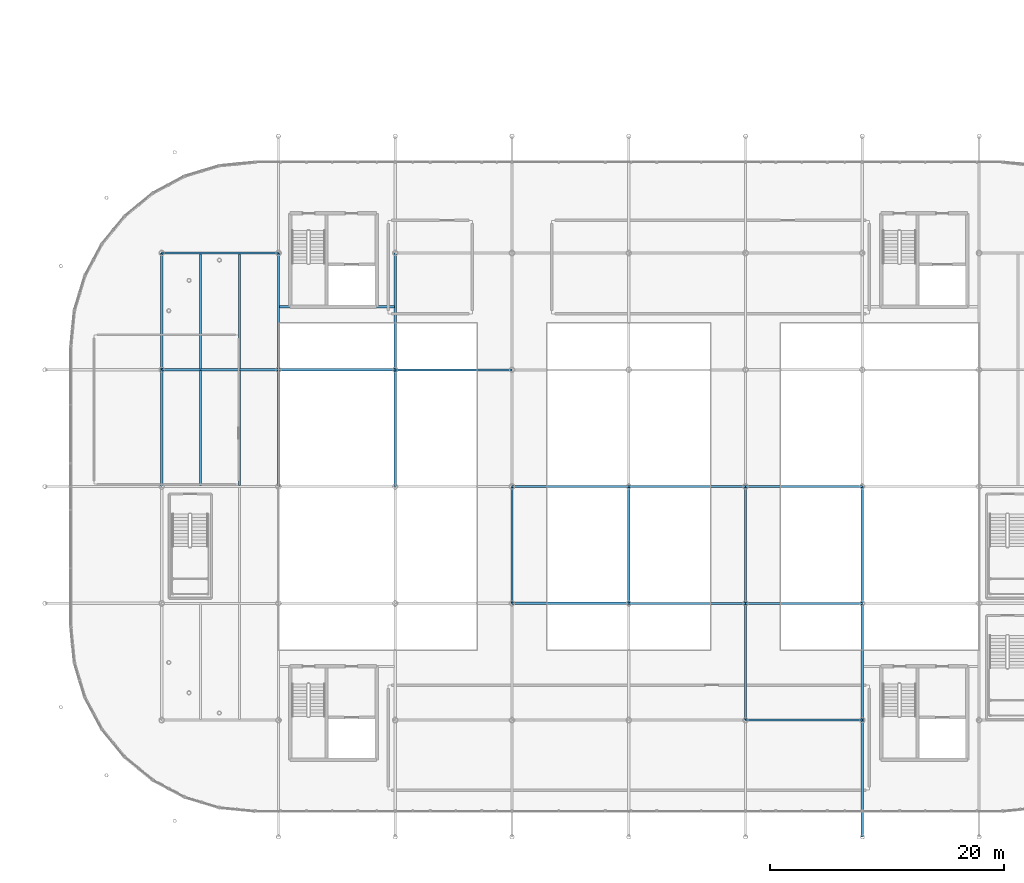
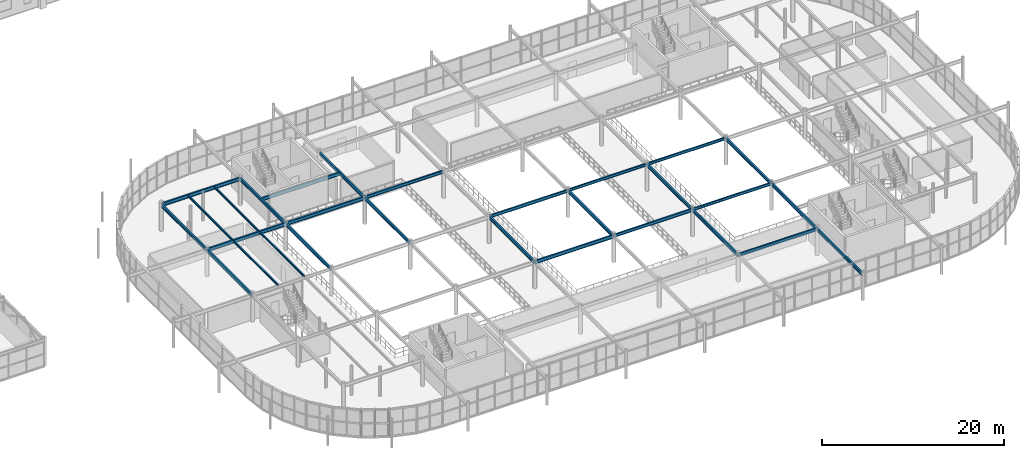
# One storey, part 46 of 98: 29 beams.
"""IFC4 building model written with IfcOpenShell, lengths in metres."""

from ifc_helpers import new_model, si_unit, derived_unit, direction, frame, origin, origin_2d_with_axis, place, context, subcontext, project, spatial, i_section, extrude, material, material_profile, profile_set, type_object, element, save


model = new_model("IFC4")

# Units and contexts
model_context = context("Model", 3, precision=1e-05, world=origin(), true_north=direction((0.0, 1.0)))
body_context = subcontext(model_context, "Body", "Model", "MODEL_VIEW")
ifc_project = project(units=[si_unit("LENGTHUNIT", "METRE"), si_unit("AREAUNIT", "SQUARE_METRE"), si_unit("VOLUMEUNIT", "CUBIC_METRE"), si_unit("PLANEANGLEUNIT", "RADIAN"), si_unit("MASSUNIT", "GRAM", prefix="KILO"), derived_unit("THERMALTRANSMITTANCEUNIT", [(si_unit("POWERUNIT", "WATT"), 1), (si_unit("LENGTHUNIT", "METRE"), -2), (si_unit("THERMODYNAMICTEMPERATUREUNIT", "KELVIN"), -1)])], contexts=[model_context])

# Site, building, storey
site_placement = place(None, origin())
site = spatial("IfcSite", under=ifc_project, at=site_placement, CompositionType="ELEMENT")
building_placement = place(site_placement, origin())
building = spatial("IfcBuilding", under=site, at=building_placement, Name="Cinnabar Yard Market Hall", CompositionType="ELEMENT")
storey_placement = place(building_placement, frame((0.0, 0.0, 4.5)))
storey = spatial("IfcBuildingStorey", under=building, at=storey_placement, Name="L01", CompositionType="ELEMENT", Elevation=4.5)

# Beams
ifc_material = material(Name="Steel Grade 300 (300 MPa)", Category="steel")
ifc_material_profile_1 = material_profile(ifc_material, i_section(OverallWidth=0.19091796875, OverallDepth=0.46044921875, WebThickness=0.010009765625, FlangeThickness=0.01611328125, FilletRadius=0.011474609375, at=origin_2d_with_axis()), Name="460UB82.1")
ifc_profile_set_1 = profile_set([ifc_material_profile_1], Name="Steel Grade 300 (300 MPa)")
beam_type_1 = type_object("IfcBeamType", Name="BM-B04", PredefinedType="BEAM", material=ifc_profile_set_1)
for number, where, z_axis, x_axis, name in (
    (1, (76.0, 64.0, 3.419921875), (1.0, 0.0, 0.0), (0.0, 1.0, 0.0), "L01 Gallery Girder X 00255"),
    (2, (86.0, 54.0, 3.419921875), (1.0, 0.0, 0.0), (0.0, 1.0, 0.0), "L01 Gallery Girder X 00258"),
    (3, (106.0, 34.0, 3.419921875), (1.0, 0.0, 0.0), (0.0, 1.0, 0.0), "L01 Gallery Girder X 00265"),
):
    element("IfcBeam", number, at=place(storey_placement, frame(where, z_axis=z_axis, x_axis=x_axis)), inside=storey, type_object=beam_type_1, Name=name, PredefinedType="BEAM", context=body_context, shape_type="SweptSolid", body=[
        extrude(i_section(OverallWidth=0.19091796875, OverallDepth=0.46044921875, WebThickness=0.010009765625, FlangeThickness=0.01611328125, FilletRadius=0.011474609375, at=origin_2d_with_axis()), origin(), (0.0, 0.0, 1.0), 10.0),
    ])
ifc_material_profile_2 = material_profile(ifc_material, i_section(OverallWidth=0.18994140625, OverallDepth=0.453857421875, WebThickness=0.008544921875, FlangeThickness=0.0126953125, FilletRadius=0.011474609375, at=origin_2d_with_axis()), Name="460UB67.1")
ifc_profile_set_2 = profile_set([ifc_material_profile_2], Name="Steel Grade 300 (300 MPa)")
beam_type_2 = type_object("IfcBeamType", Name="BM-B05", PredefinedType="BEAM", material=ifc_profile_set_2)
beam_1_placement = place(storey_placement, frame((86.080078125, 59.39990234375, 3.423095703125), z_axis=(1.0, 0.0, 0.0), x_axis=(0.0, 1.0, 0.0)))
element("IfcBeam", 4, at=beam_1_placement, inside=storey, type_object=beam_type_2, Name="L01 Core Trimmer Girder 00139", PredefinedType="BEAM", context=body_context, shape_type="SweptSolid", body=[
    extrude(i_section(OverallWidth=0.18994140625, OverallDepth=0.453857421875, WebThickness=0.008544921875, FlangeThickness=0.0126953125, FilletRadius=0.011474609375, at=origin_2d_with_axis()), origin(), (0.0, 0.0, 1.0), 9.83984375),
])
for number, where, z_axis, x_axis, name in (
    (5, (76.0, 44.0, 3.423095703125), (0.0, 1.0, 0.0), (-1.0, 0.0, 0.0), "L01 Gallery Girder Y 00312"),
    (6, (76.0, 54.0, 3.423095703125), (0.0, 1.0, 0.0), (-1.0, 0.0, 0.0), "L01 Gallery Girder Y 00315"),
    (7, (86.0, 44.0, 3.423095703125), (0.0, 1.0, 0.0), (-1.0, 0.0, 0.0), "L01 Gallery Girder Y 00320"),
    (8, (86.0, 54.0, 3.423095703125), (0.0, 1.0, 0.0), (-1.0, 0.0, 0.0), "L01 Gallery Girder Y 00321"),
    (9, (96.0, 44.0, 3.423095703125), (0.0, 1.0, 0.0), (-1.0, 0.0, 0.0), "L01 Gallery Girder Y 00324"),
    (10, (96.0, 54.0, 3.423095703125), (0.0, 1.0, 0.0), (-1.0, 0.0, 0.0), "L01 Gallery Girder Y 00325"),
    (11, (106.0, 34.0, 3.423095703125), (0.0, 1.0, 0.0), (-1.0, 0.0, 0.0), "L01 Gallery Girder Y 00327"),
    (12, (116.0, 34.0, 3.423095703125), (0.0, 1.0, 0.0), (-1.0, 0.0, 0.0), "L01 Gallery Girder Y 00331"),
    (13, (126.0, 24.0, 3.423095703125), (0.0, 1.0, 0.0), (-1.0, 0.0, 0.0), "L01 Gallery Girder Y 00334"),
    (14, (126.0, 34.0, 3.423095703125), (0.0, 1.0, 0.0), (-1.0, 0.0, 0.0), "L01 Gallery Girder Y 00335"),
    (15, (136.0, 24.0, 3.423095703125), (0.0, 1.0, 0.0), (-1.0, 0.0, 0.0), "L01 Gallery Girder Y 00338"),
    (16, (136.0, 34.0, 3.423095703125), (0.0, 1.0, 0.0), (-1.0, 0.0, 0.0), "L01 Gallery Girder Y 00339"),
):
    element("IfcBeam", number, at=place(storey_placement, frame(where, z_axis=z_axis, x_axis=x_axis)), inside=storey, type_object=beam_type_2, Name=name, PredefinedType="BEAM", context=body_context, shape_type="SweptSolid", body=[
        extrude(i_section(OverallWidth=0.18994140625, OverallDepth=0.453857421875, WebThickness=0.008544921875, FlangeThickness=0.0126953125, FilletRadius=0.011474609375, at=origin_2d_with_axis()), origin(), (0.0, 0.0, 1.0), 10.0),
    ])
ifc_material_profile_3 = material_profile(ifc_material, i_section(OverallWidth=0.18994140625, OverallDepth=0.453857421875, WebThickness=0.008544921875, FlangeThickness=0.0126953125, FilletRadius=0.011474609375, at=origin_2d_with_axis()), Name="460UB67.1")
ifc_profile_set_3 = profile_set([ifc_material_profile_3], Name="Steel Grade 300 (300 MPa)")
beam_type_3 = type_object("IfcBeamType", Name="BM-B05E", PredefinedType="BEAM", material=ifc_profile_set_3)
beam_2_placement = place(storey_placement, frame((136.0, 24.0, 3.423095703125), z_axis=(0.0, -1.0, 0.0), x_axis=(1.0, 0.0, 0.0)))
element("IfcBeam", 17, at=beam_2_placement, inside=storey, type_object=beam_type_3, Name="L01 Gallery South Tie 00297", PredefinedType="BEAM", context=body_context, shape_type="SweptSolid", body=[
    extrude(i_section(OverallWidth=0.18994140625, OverallDepth=0.453857421875, WebThickness=0.008544921875, FlangeThickness=0.0126953125, FilletRadius=0.011474609375, at=origin_2d_with_axis()), origin(), (0.0, 0.0, 1.0), 10.0),
])
ifc_material_profile_4 = material_profile(ifc_material, i_section(OverallWidth=0.177978515625, OverallDepth=0.402587890625, WebThickness=0.007568359375, FlangeThickness=0.010986328125, FilletRadius=0.011474609375, at=origin_2d_with_axis()), Name="410UB53.7")
ifc_profile_set_4 = profile_set([ifc_material_profile_4], Name="Steel Grade 300 (300 MPa)")
beam_type_4 = type_object("IfcBeamType", Name="BM-B09", PredefinedType="BEAM", material=ifc_profile_set_4)
for number, where, z_axis, x_axis, name in (
    (18, (96.0, 54.0, 3.44873046875), (1.0, 0.0, 0.0), (0.0, 1.0, 0.0), "L01 Gallery Girder X 00262"),
    (19, (106.0, 44.0, 3.44873046875), (1.0, 0.0, 0.0), (0.0, 1.0, 0.0), "L01 Gallery Girder X 00266"),
    (20, (116.0, 34.0, 3.44873046875), (1.0, 0.0, 0.0), (0.0, 1.0, 0.0), "L01 Gallery Girder X 00270"),
    (21, (126.0, 24.0, 3.44873046875), (1.0, 0.0, 0.0), (0.0, 1.0, 0.0), "L01 Gallery Girder X 00274"),
):
    element("IfcBeam", number, at=place(storey_placement, frame(where, z_axis=z_axis, x_axis=x_axis)), inside=storey, type_object=beam_type_4, Name=name, PredefinedType="BEAM", context=body_context, shape_type="SweptSolid", body=[
        extrude(i_section(OverallWidth=0.177978515625, OverallDepth=0.402587890625, WebThickness=0.007568359375, FlangeThickness=0.010986328125, FilletRadius=0.011474609375, at=origin_2d_with_axis()), origin(), (0.0, 0.0, 1.0), 10.0),
    ])
ifc_material_profile_5 = material_profile(ifc_material, i_section(OverallWidth=0.1708984375, OverallDepth=0.355712890625, WebThickness=0.00732421875, FlangeThickness=0.011474609375, FilletRadius=0.011474609375, at=origin_2d_with_axis()), Name="360UB50.7")
ifc_profile_set_5 = profile_set([ifc_material_profile_5], Name="Steel Grade 300 (300 MPa)")
beam_type_5 = type_object("IfcBeamType", Name="BM-B10", PredefinedType="BEAM", material=ifc_profile_set_5)
for number, where, z_axis, x_axis, name in (
    (22, (116.0, 44.0, 3.47216796875), (1.0, 0.0, 0.0), (0.0, 1.0, 0.0), "L01 Gallery Girder X 00271"),
    (23, (126.0, 34.0, 3.47216796875), (1.0, 0.0, 0.0), (0.0, 1.0, 0.0), "L01 Gallery Girder X 00275"),
):
    element("IfcBeam", number, at=place(storey_placement, frame(where, z_axis=z_axis, x_axis=x_axis)), inside=storey, type_object=beam_type_5, Name=name, PredefinedType="BEAM", context=body_context, shape_type="SweptSolid", body=[
        extrude(i_section(OverallWidth=0.1708984375, OverallDepth=0.355712890625, WebThickness=0.00732421875, FlangeThickness=0.011474609375, FilletRadius=0.011474609375, at=origin_2d_with_axis()), origin(), (0.0, 0.0, 1.0), 10.0),
    ])
ifc_material_profile_6 = material_profile(ifc_material, i_section(OverallWidth=0.1708984375, OverallDepth=0.35205078125, WebThickness=0.0068359375, FlangeThickness=0.009765625, FilletRadius=0.011474609375, at=origin_2d_with_axis()), Name="360UB44.7")
ifc_profile_set_6 = profile_set([ifc_material_profile_6], Name="Steel Grade 300 (300 MPa)")
beam_type_6 = type_object("IfcBeamType", Name="BM-B11", PredefinedType="BEAM", material=ifc_profile_set_6)
beam_3_placement = place(storey_placement, frame((126.0, 44.0, 3.47412109375), z_axis=(1.0, 0.0, 0.0), x_axis=(0.0, 1.0, 0.0)))
element("IfcBeam", 24, at=beam_3_placement, inside=storey, type_object=beam_type_6, Name="L01 Gallery Girder X 00276", PredefinedType="BEAM", context=body_context, shape_type="SweptSolid", body=[
    extrude(i_section(OverallWidth=0.1708984375, OverallDepth=0.35205078125, WebThickness=0.0068359375, FlangeThickness=0.009765625, FilletRadius=0.011474609375, at=origin_2d_with_axis()), origin(), (0.0, 0.0, 1.0), 10.0),
])
ifc_material_profile_7 = material_profile(ifc_material, i_section(OverallWidth=0.18994140625, OverallDepth=0.453857421875, WebThickness=0.008544921875, FlangeThickness=0.0126953125, FilletRadius=0.011474609375, at=origin_2d_with_axis()), Name="460UB67.1")
ifc_profile_set_7 = profile_set([ifc_material_profile_7], Name="Steel Grade 300 (300 MPa)")
beam_type_7 = type_object("IfcBeamType", Name="BM-B14", PredefinedType="BEAM", material=ifc_profile_set_7)
beam_4_placement = place(storey_placement, frame((76.0, 54.0, 3.423095703125), z_axis=(1.0, 0.0, 0.0), x_axis=(0.0, 1.0, 0.0)))
element("IfcBeam", 25, at=beam_4_placement, inside=storey, type_object=beam_type_7, Name="L01 Gallery Girder X 00254", PredefinedType="BEAM", context=body_context, shape_type="SweptSolid", body=[
    extrude(i_section(OverallWidth=0.18994140625, OverallDepth=0.453857421875, WebThickness=0.008544921875, FlangeThickness=0.0126953125, FilletRadius=0.011474609375, at=origin_2d_with_axis()), origin(), (0.0, 0.0, 1.0), 10.0),
])
ifc_material_profile_8 = material_profile(ifc_material, i_section(OverallWidth=0.14599609375, OverallDepth=0.256103515625, WebThickness=0.00634765625, FlangeThickness=0.010986328125, FilletRadius=0.0087890625, at=origin_2d_with_axis()), Name="250UB37.3")
ifc_profile_set_8 = profile_set([ifc_material_profile_8], Name="Steel Grade 300 (300 MPa)")
beam_type_8 = type_object("IfcBeamType", Name="BM-J03", PredefinedType="JOIST", material=ifc_profile_set_8)
for number, where, z_axis, x_axis, name in (
    (26, (79.330078125, 44.074951171875, 3.52197265625), (0.0, 1.0, 0.0), (-1.0, 0.0, 0.0), "L01 Gallery Joist 00313"),
    (27, (82.669921875, 44.074951171875, 3.52197265625), (0.0, 1.0, 0.0), (-1.0, 0.0, 0.0), "L01 Gallery Joist 00314"),
    (28, (79.330078125, 54.074951171875, 3.52197265625), (0.0, 1.0, 0.0), (-1.0, 0.0, 0.0), "L01 Gallery Joist 00316"),
    (29, (82.669921875, 54.074951171875, 3.52197265625), (0.0, 1.0, 0.0), (-1.0, 0.0, 0.0), "L01 Gallery Joist 00317"),
):
    element("IfcBeam", number, at=place(storey_placement, frame(where, z_axis=z_axis, x_axis=x_axis)), inside=storey, type_object=beam_type_8, Name=name, PredefinedType="JOIST", context=body_context, shape_type="SweptSolid", body=[
        extrude(i_section(OverallWidth=0.14599609375, OverallDepth=0.256103515625, WebThickness=0.00634765625, FlangeThickness=0.010986328125, FilletRadius=0.0087890625, at=origin_2d_with_axis()), origin(), (0.0, 0.0, 1.0), 9.85009765625),
    ])

save(model, "model.ifc")
